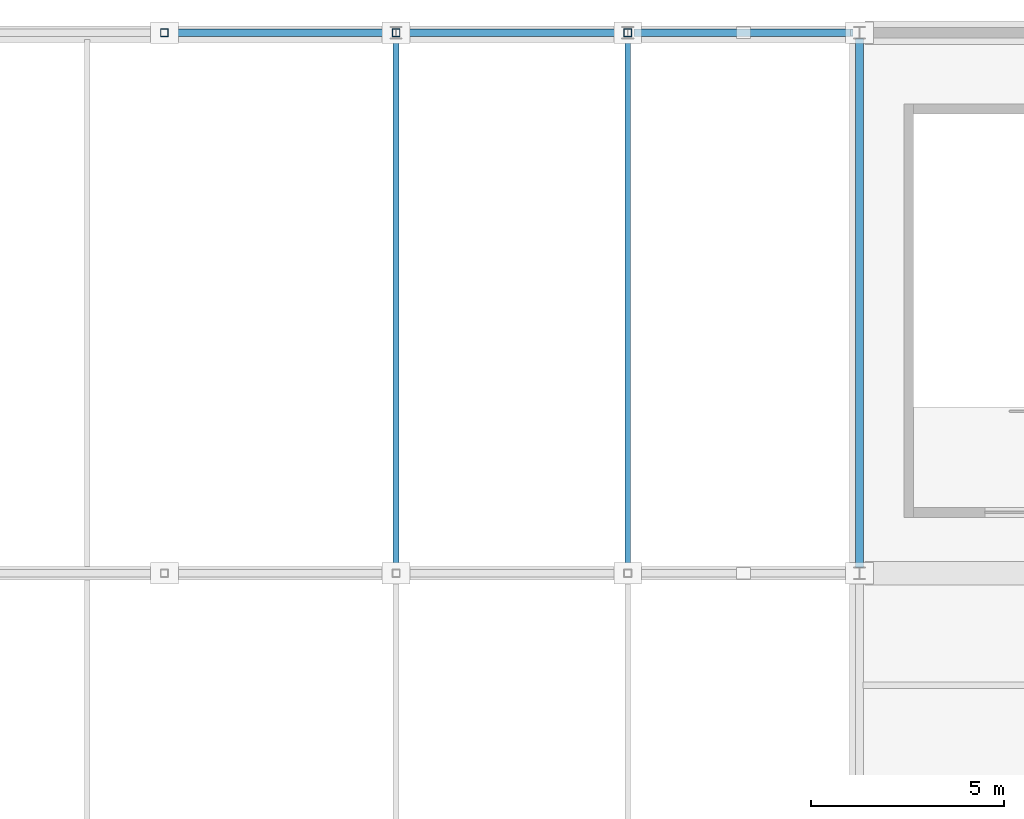
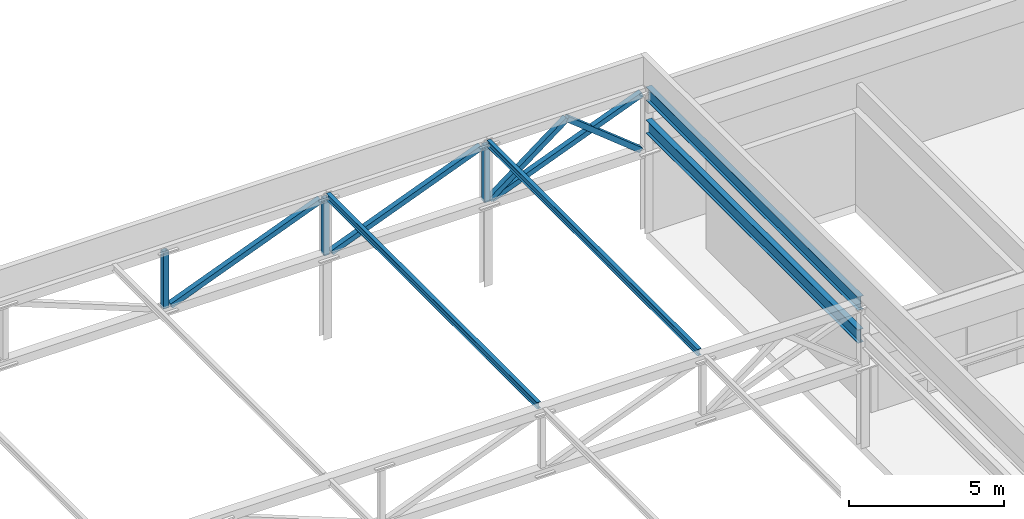
# One storey, part 75 of 122: 10 members, 2 beams.
"""IFC4 building model written with IfcOpenShell, lengths in metres."""

from ifc_helpers import new_model, si_unit, direction, frame, origin, origin_2d, place, context, subcontext, project, spatial, hollow_rectangle, i_section, extrude, material, material_profile, profile_set, type_object, element, save


model = new_model("IFC4")

# Units and contexts
model_context = context("Model", 3, precision=1e-05, world=origin(), true_north=direction((0.0, 1.0)))
body_context = subcontext(model_context, "Body", "Model", "MODEL_VIEW")
ifc_project = project(units=[si_unit("LENGTHUNIT", "METRE"), si_unit("AREAUNIT", "SQUARE_METRE"), si_unit("VOLUMEUNIT", "CUBIC_METRE"), si_unit("PLANEANGLEUNIT", "RADIAN"), si_unit("MASSUNIT", "GRAM", prefix="KILO")], contexts=[model_context])

# Site, building, storey
site_placement = place(None, origin())
site = spatial("IfcSite", under=ifc_project, at=site_placement, CompositionType="ELEMENT")
building_placement = place(site_placement, origin())
building = spatial("IfcBuilding", under=site, at=building_placement, Name="Cuetzalor Civic Arena", CompositionType="ELEMENT")
storey_placement = place(building_placement, frame((0.0, 0.0, 16.199951171875)))
storey = spatial("IfcBuildingStorey", under=building, at=storey_placement, Name="L03", CompositionType="ELEMENT", Elevation=16.199951171875)

# Members
ifc_material_1 = material(Name="Steel S355", Category="steel")
ifc_material_profile_1 = material_profile(ifc_material_1, hollow_rectangle(XDim=0.199951171875, YDim=0.199951171875, WallThickness=0.010009765625, at=origin_2d()), Name="RHS 200x200x10")
ifc_profile_set_1 = profile_set([ifc_material_profile_1], Name="Steel S355")
member_type_1 = type_object("IfcMemberType", Name="PrattTrussWeb_RHS200", PredefinedType="STRUT", material=ifc_profile_set_1)
for number, where, z_axis, x_axis, name in (
    (1, (-53.800048828125, 75.5, 3.300048828125), (0.930756425373, 0.0, 0.365639818164), (0.0, 1.0, 0.0), "Practice Court Pratt Diagonal T3-4"),
    (2, (-47.800048828125, 75.5, 3.300048828125), (0.930756425373, 0.0, 0.365639818164), (0.0, 1.0, 0.0), "Practice Court Pratt Diagonal T3-5"),
    (3, (-41.800048828125, 75.5, 3.300048828125), (0.930756425373, 0.0, 0.365639818164), (0.0, 1.0, 0.0), "Practice Court Pratt Diagonal T3-6"),
):
    element("IfcMember", number, at=place(storey_placement, frame(where, z_axis=z_axis, x_axis=x_axis)), inside=storey, type_object=member_type_1, Name=name, PredefinedType="STRUT", context=body_context, shape_type="SweptSolid", body=[
        extrude(hollow_rectangle(XDim=0.199951171875, YDim=0.199951171875, WallThickness=0.010009765625, at=origin_2d()), origin(), (0.0, 0.0, 1.0), 6.0166015625),
    ])
for number, where, z_axis, x_axis, name in (
    (4, (-54.0, 75.5, 3.280029296875), (0.0, 0.0, 1.0), (1.0, 0.0, 0.0), "Practice Court Pratt Vertical T3-3"),
    (5, (-48.0, 75.5, 3.280029296875), (0.0, 0.0, 1.0), (1.0, 0.0, 0.0), "Practice Court Pratt Vertical T3-4"),
    (6, (-42.0, 75.5, 3.280029296875), (0.0, 0.0, 1.0), (1.0, 0.0, 0.0), "Practice Court Pratt Vertical T3-5"),
):
    element("IfcMember", number, at=place(storey_placement, frame(where, z_axis=z_axis, x_axis=x_axis)), inside=storey, type_object=member_type_1, Name=name, PredefinedType="STRUT", context=body_context, shape_type="SweptSolid", body=[
        extrude(hollow_rectangle(XDim=0.199951171875, YDim=0.199951171875, WallThickness=0.010009765625, at=origin_2d()), origin(), (0.0, 0.0, 1.0), 2.239990234375),
    ])
member_1_placement = place(storey_placement, frame((-41.89990234375, 75.5, 3.300048828125), z_axis=(0.796687929917, 0.0, 0.604390885375), x_axis=(0.0, 1.0, 0.0)))
element("IfcMember", 7, at=member_1_placement, inside=storey, type_object=member_type_1, Name="Practice Court Truss End Raking Strut T3-3", PredefinedType="STRUT", context=body_context, shape_type="SweptSolid", body=[
    extrude(hollow_rectangle(XDim=0.199951171875, YDim=0.199951171875, WallThickness=0.010009765625, at=origin_2d()), origin(), (0.0, 0.0, 1.0), 3.639892578125),
])
member_2_placement = place(storey_placement, frame((-39.0, 75.5, 5.5), z_axis=(0.780875572801, 0.0, -0.624686593263), x_axis=(0.0, 1.0, 0.0)))
element("IfcMember", 8, at=member_2_placement, inside=storey, type_object=member_type_1, Name="Practice Court Truss End Raking Strut T3-4", PredefinedType="STRUT", context=body_context, shape_type="SweptSolid", body=[
    extrude(hollow_rectangle(XDim=0.199951171875, YDim=0.199951171875, WallThickness=0.010009765625, at=origin_2d()), origin(), (0.0, 0.0, 1.0), 3.521728515625),
])
ifc_material_2 = material(Name="Steel S355", Category="steel")
ifc_material_profile_2 = material_profile(ifc_material_2, i_section(OverallWidth=0.14697265625, OverallDepth=0.261962890625, WebThickness=0.00634765625, FlangeThickness=0.01123046875, at=origin_2d()), Name="W250x39")
ifc_profile_set_2 = profile_set([ifc_material_profile_2], Name="Steel S355")
member_type_2 = type_object("IfcMemberType", Name="RoofDeckPurlin_W250", PredefinedType="PURLIN", material=ifc_profile_set_2)
for number, where, z_axis, x_axis, name in (
    (9, (-48.0, 61.679931640625, 5.6689453125), (0.0, 1.0, 0.0), (-1.0, 0.0, 0.0), "Practice Court Monitor Roof Purlin 3-2"),
    (10, (-42.0, 61.679931640625, 5.6689453125), (0.0, 1.0, 0.0), (-1.0, 0.0, 0.0), "Practice Court Monitor Roof Purlin 4-2"),
):
    element("IfcMember", number, at=place(storey_placement, frame(where, z_axis=z_axis, x_axis=x_axis)), inside=storey, type_object=member_type_2, Name=name, PredefinedType="PURLIN", context=body_context, shape_type="SweptSolid", body=[
        extrude(i_section(OverallWidth=0.14697265625, OverallDepth=0.261962890625, WebThickness=0.00634765625, FlangeThickness=0.01123046875, at=origin_2d()), origin(), (0.0, 0.0, 1.0), 13.64013671875),
    ])

# Beams
ifc_material_3 = material(Name="Steel S355", Category="steel")
ifc_material_profile_3 = material_profile(ifc_material_3, i_section(OverallWidth=0.208984375, OverallDepth=0.532958984375, WebThickness=0.01025390625, FlangeThickness=0.015625, at=origin_2d()), Name="W530x92")
ifc_profile_set_3 = profile_set([ifc_material_profile_3], Name="Steel S355")
beam_type = type_object("IfcBeamType", Name="SteelCollarGirder_W530", PredefinedType="BEAM", material=ifc_profile_set_3)
for number, where, z_axis, x_axis, name in (
    (11, (-36.0, 61.64404296875, 5.533447265625), (0.0, 1.0, 0.0), (-1.0, 0.0, 0.0), "Frame Girder V5-L03-Y1066"),
    (12, (-36.0, 61.64404296875, 4.233642578125), (0.0, 1.0, 0.0), (-1.0, 0.0, 0.0), "Lower Roof Step Edge Girder V5-L03-Y1066"),
):
    element("IfcBeam", number, at=place(storey_placement, frame(where, z_axis=z_axis, x_axis=x_axis)), inside=storey, type_object=beam_type, Name=name, PredefinedType="BEAM", context=body_context, shape_type="SweptSolid", body=[
        extrude(i_section(OverallWidth=0.208984375, OverallDepth=0.532958984375, WebThickness=0.01025390625, FlangeThickness=0.015625, at=origin_2d()), origin(), (0.0, 0.0, 1.0), 13.7119140625),
    ])

save(model, "model.ifc")
